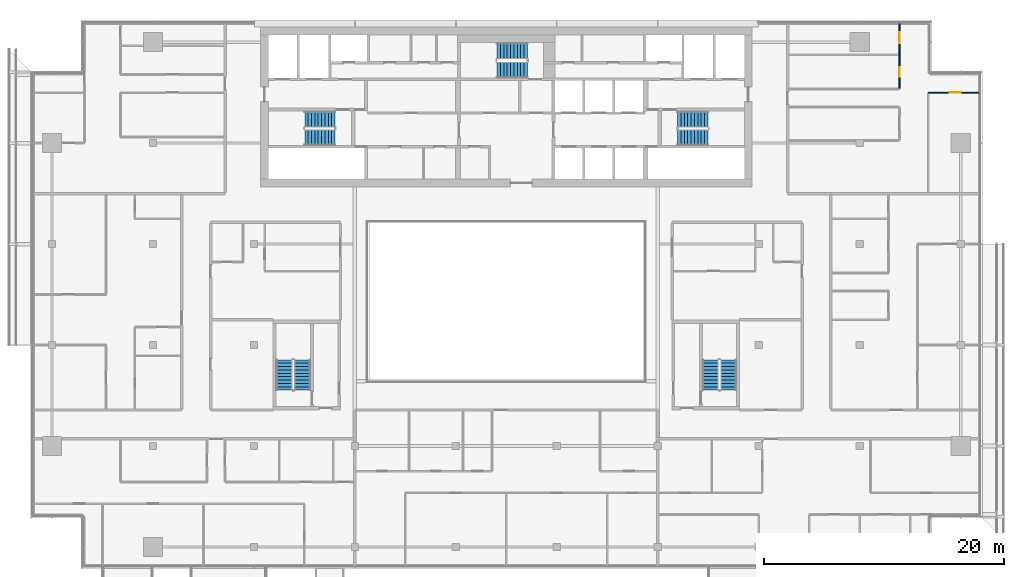
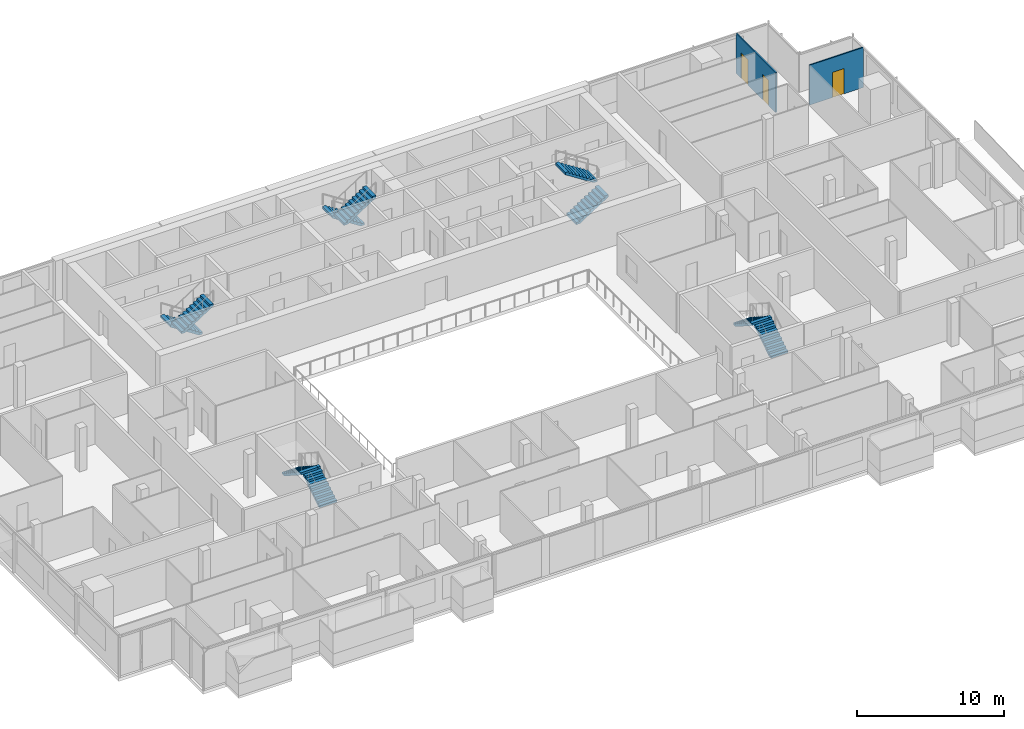
# One storey, part 25 of 29: 10 stair flights, 3 doors, 2 walls, 3 openings, 5 elements without a shape of their own.
"""IFC4 building model written with IfcOpenShell, lengths in metres."""

import ifcopenshell
import ifcopenshell.guid

model = None  # the IFC model being written
_history = None  # IfcOwnerHistory: only IFC2X3 demands one
_inside = {}  # id of a spatial element -> (the spatial element, [elements in it])
_under = {}  # id of a project, library or spatial element -> (it, [spatial elements below it])
_declared = {}  # id of a project -> (the project, [libraries it declares])
_typed = {}  # id of a type object -> (the type object, [elements of that type])
_made_of = {}  # id of a material, layer set ... -> (it, [elements and type objects made of it])


def new_model(schema):
    """Start an empty IFC model of exactly this schema.

    Asked for "IFC4X3", IfcOpenShell would pick the latest addendum, in which some entities
    have other attributes; the version numbers below select the first issue.
    IFC2X3 requires an IfcOwnerHistory on every rooted entity: one is made here for all.
    """
    global model, _history
    if schema == "IFC4X3":
        model = ifcopenshell.file(schema_version=(4, 3, 0, 0))
    else:
        model = ifcopenshell.file(schema=schema)
    _inside.clear()
    _under.clear()
    _declared.clear()
    _typed.clear()
    _made_of.clear()
    _history = None
    if model.schema == "IFC2X3":
        org = make("IfcOrganization", Name="unknown")
        user = make(
            "IfcPersonAndOrganization",
            ThePerson=make("IfcPerson", FamilyName="unknown"),
            TheOrganization=org,
        )
        app = make(
            "IfcApplication",
            ApplicationDeveloper=org,
            Version="unknown",
            ApplicationFullName="unknown",
            ApplicationIdentifier="unknown",
        )
        _history = make(
            "IfcOwnerHistory",
            OwningUser=user,
            OwningApplication=app,
            ChangeAction="ADDED",
            CreationDate=0,
        )
    return model


def make(cls, **values):
    """One entity of the class cls with the attributes given. An attribute that is None is left unset."""
    return model.create_entity(
        cls, **{name: value for name, value in values.items() if value is not None}
    )


def rooted(cls, **values):
    """An entity with a GlobalId (a new one), such as an element, a storey or a relation."""
    return make(cls, GlobalId=ifcopenshell.guid.new(), OwnerHistory=_history, **values)


def si_unit(unit_type, name, prefix=None):
    """IfcSIUnit, for example si_unit("LENGTHUNIT", "METRE", prefix="MILLI")."""
    return make("IfcSIUnit", UnitType=unit_type, Prefix=prefix, Name=name)


def assignment(units):
    """IfcUnitAssignment: the units of a project."""
    return None if units is None else make("IfcUnitAssignment", Units=units)


def point(xyz):
    """IfcCartesianPoint."""
    return None if xyz is None else make("IfcCartesianPoint", Coordinates=xyz)


def direction(xyz):
    """IfcDirection."""
    return None if xyz is None else make("IfcDirection", DirectionRatios=xyz)


def frame(location, z_axis=None, x_axis=None):
    """IfcAxis2Placement3D, a coordinate frame: its origin and axes. An axis left out is left unset."""
    return make(
        "IfcAxis2Placement3D",
        Location=point(location),
        Axis=direction(z_axis),
        RefDirection=direction(x_axis),
    )


def frame_2d(location, x_axis=None):
    """IfcAxis2Placement2D, a coordinate frame in the plane: its origin and x axis."""
    return make(
        "IfcAxis2Placement2D", Location=point(location), RefDirection=direction(x_axis)
    )


def origin():
    """The frame at (0, 0, 0) with its axes left unset."""
    return frame((0.0, 0.0, 0.0))


def place(relative_to, where):
    """IfcLocalPlacement: puts the frame where relative to a parent placement (None: the world)."""
    return make(
        "IfcLocalPlacement", PlacementRelTo=relative_to, RelativePlacement=where
    )


def context(
    kind, dimensions, precision=None, world=None, true_north=None, identifier=None
):
    """IfcGeometricRepresentationContext, for example the 3D "Model" context."""
    return make(
        "IfcGeometricRepresentationContext",
        ContextIdentifier=identifier,
        ContextType=kind,
        CoordinateSpaceDimension=dimensions,
        Precision=precision,
        WorldCoordinateSystem=world,
        TrueNorth=true_north,
    )


def subcontext(parent, identifier, kind, view, scale=None):
    """IfcGeometricRepresentationSubContext, for example "Body" below "Model"."""
    return make(
        "IfcGeometricRepresentationSubContext",
        ContextIdentifier=identifier,
        ContextType=kind,
        ParentContext=parent,
        TargetScale=scale,
        TargetView=view,
    )


def project(units=None, contexts=None):
    """IfcProject with its units and contexts."""
    return rooted(
        "IfcProject",
        Name="project",
        RepresentationContexts=contexts,
        UnitsInContext=assignment(units),
    )


def spatial(cls, under=None, at=None, **own):
    """A site, building, storey or space (cls), placed at a placement, below another one or the project."""
    s = rooted(cls, ObjectPlacement=at, **own)
    if under is not None:
        _under.setdefault(under.id(), (under, []))[1].append(s)
    return s


def polyline(points):
    """IfcPolyline through the points."""
    return make("IfcPolyline", Points=[point(p) for p in points])


def profile(cls, at=None, kind="AREA", **sizes):
    """A parametric profile (cls). Its sizes go by their IFC names, for example OverallWidth=200.0."""
    return make(cls, ProfileType=kind, Position=at, **sizes)


def rectangle(**sizes):
    """IfcRectangleProfileDef."""
    return profile("IfcRectangleProfileDef", **sizes)


def outline(outer, holes=None, kind="AREA"):
    """IfcArbitraryClosedProfileDef: a profile drawn as a closed curve; with holes, ...WithVoids."""
    if holes is None:
        return make("IfcArbitraryClosedProfileDef", ProfileType=kind, OuterCurve=outer)
    return make(
        "IfcArbitraryProfileDefWithVoids",
        ProfileType=kind,
        OuterCurve=outer,
        InnerCurves=holes,
    )


def extrude(swept, where, along, depth):
    """IfcExtrudedAreaSolid: the profile swept, set in the frame where, extruded along a direction by depth."""
    return make(
        "IfcExtrudedAreaSolid",
        SweptArea=swept,
        Position=where,
        ExtrudedDirection=direction(along),
        Depth=depth,
    )


def shape(context_of_items, identifier, shape_type, items):
    """IfcShapeRepresentation: the items that make up one representation, for example the "Body"."""
    return make(
        "IfcShapeRepresentation",
        ContextOfItems=context_of_items,
        RepresentationIdentifier=identifier,
        RepresentationType=shape_type,
        Items=items,
    )


def material(Name=None, Category=None):
    """IfcMaterial."""
    return make("IfcMaterial", Name=Name, Category=Category)


def layer(
    of_material, thickness, ventilated=None, Name=None, Category=None, Priority=None
):
    """IfcMaterialLayer: one layer of a wall or slab, of a material (None: an air gap)."""
    return make(
        "IfcMaterialLayer",
        Material=of_material,
        LayerThickness=thickness,
        IsVentilated=ventilated,
        Name=Name,
        Category=Category,
        Priority=Priority,
    )


def layer_set(layers, Name=None):
    """IfcMaterialLayerSet."""
    return make("IfcMaterialLayerSet", MaterialLayers=layers, LayerSetName=Name)


def made_of(thing, what):
    """Note that an element or type object is made of a material, layer set ...; save() writes the relation."""
    if what is not None:
        _made_of.setdefault(what.id(), (what, []))[1].append(thing)
    return thing


def type_object(cls, material=None, **own):
    """A type object (cls), such as IfcWallType, which elements share."""
    return made_of(rooted(cls, **own), material)


def element(
    cls,
    number,
    at=None,
    inside=None,
    cuts=None,
    type_object=None,
    material=None,
    context=None,
    identifier="Body",
    shape_type=None,
    held_by="IfcProductDefinitionShape",
    body=None,
    shapes=None,
    **own,
):
    """One element of the class cls, such as IfcWall. Its Tag is "e" and its number.

    at: its placement. inside: the storey or other place that contains it. cuts: it is an
    opening in that element (IfcRelVoidsElement). A single representation is given by context,
    identifier, shape_type and body (its items); several are given by shapes. held_by: the class
    of the entity that holds the representations. save() writes the other relations.
    """
    e = rooted(cls, Tag="e%d" % number, ObjectPlacement=at, **own)
    if body is not None:
        shapes = [shape(context, identifier, shape_type, body)]
    if shapes is not None:
        e.Representation = make(held_by, Representations=shapes)
    if inside is not None:
        _inside.setdefault(inside.id(), (inside, []))[1].append(e)
    if cuts is not None:
        rooted(
            "IfcRelVoidsElement", RelatingBuildingElement=cuts, RelatedOpeningElement=e
        )
    if type_object is not None:
        _typed.setdefault(type_object.id(), (type_object, []))[1].append(e)
    return made_of(e, material)


def fill(opening, filler):
    """IfcRelFillsElement: the door or window that sits in an opening."""
    return rooted(
        "IfcRelFillsElement",
        RelatingOpeningElement=opening,
        RelatedBuildingElement=filler,
    )


def aggregate(whole, parts):
    """IfcRelAggregates: a whole, such as a stair, and the parts it consists of."""
    return rooted("IfcRelAggregates", RelatingObject=whole, RelatedObjects=parts)


def save(model, path):
    """Write the relations noted so far, then the file.

    IfcRelAggregates (storeys below a building ...), IfcRelContainedInSpatialStructure (elements
    in a storey), IfcRelDefinesByType, IfcRelAssociatesMaterial and IfcRelDeclares: one each for
    every whole, place, type object, material and project.
    """
    for whole, parts in _under.values():
        aggregate(whole, parts)
    for where, things in _inside.values():
        rooted(
            "IfcRelContainedInSpatialStructure",
            RelatedElements=things,
            RelatingStructure=where,
        )
    for kind, things in _typed.values():
        rooted("IfcRelDefinesByType", RelatedObjects=things, RelatingType=kind)
    for what, things in _made_of.values():
        rooted("IfcRelAssociatesMaterial", RelatedObjects=things, RelatingMaterial=what)
    for by, libraries in _declared.values():
        rooted("IfcRelDeclares", RelatingContext=by, RelatedDefinitions=libraries)
    model.write(path)


model = new_model("IFC4")

# Units and contexts
model_context = context("Model", 3, precision=1e-05, world=origin(), true_north=direction((0.0, 1.0)))
body_context = subcontext(model_context, "Body", "Model", "MODEL_VIEW")
ifc_project = project(units=[si_unit("LENGTHUNIT", "METRE"), si_unit("AREAUNIT", "SQUARE_METRE"), si_unit("VOLUMEUNIT", "CUBIC_METRE"), si_unit("PLANEANGLEUNIT", "RADIAN"), si_unit("MASSUNIT", "GRAM", prefix="KILO")], contexts=[model_context])

# Site, building, storey
site_placement = place(None, origin())
site = spatial("IfcSite", under=ifc_project, at=site_placement, CompositionType="ELEMENT")
building_placement = place(site_placement, origin())
building = spatial("IfcBuilding", under=site, at=building_placement, Name="Saffron Gate Tower", CompositionType="ELEMENT")
storey_placement = place(building_placement, frame((0.0, 0.0, 219.89990234375)))
storey = spatial("IfcBuildingStorey", under=building, at=storey_placement, Name="L53", CompositionType="ELEMENT", Elevation=219.89990234375)

# Wall, opening, door
ifc_material_1 = material(Name="Plasterboard on steel studs", Category="steel")
ifc_layer = layer(ifc_material_1, 0.10009765625)
ifc_layer_set = layer_set([ifc_layer], Name="PW1 Partition 100")
wall_type = type_object("IfcWallType", Name="PW1 Partition 100", PredefinedType="PARTITIONING", material=ifc_layer_set)
wall_1_placement = place(storey_placement, frame((126.919921875, 69.60009765625, 0.0), z_axis=(0.0, 0.0, 1.0), x_axis=(-1.0, 0.0, 0.0)))
wall_1 = element("IfcWall", 1, at=wall_1_placement, inside=storey, type_object=wall_type, Name="Partition D2-52", PredefinedType="PARTITIONING", context=body_context, shape_type="SweptSolid", body=[
    extrude(rectangle(XDim=4.219970703125, YDim=0.10009765625, at=frame_2d((2.10986328125, 0.0))), origin(), (0.0, 0.0, 1.0), 3.320068359375),
])
opening_1_placement = place(wall_1_placement, frame((1.52001953125, 0.0, 0.0)))
opening_1 = element("IfcOpeningElement", 2, at=opening_1_placement, cuts=wall_1, Name="Opening D2-34", PredefinedType="OPENING", context=body_context, shape_type="SweptSolid", body=[
    extrude(rectangle(XDim=0.89990234375, YDim=2.10009765625, at=frame_2d((0.449951171875, 1.050048828125))), frame((0.0, 0.06005859375, 0.0), z_axis=(0.0, -1.0, 0.0), x_axis=(1.0, 0.0, 0.0)), (0.0, 0.0, 1.0), 0.1201171875),
])
ifc_material_2 = material(Name="Timber door set", Category="wood")
door_type_1 = type_object("IfcDoorType", Name="RD1 Room door 900x2100", OperationType="NOTDEFINED", PredefinedType="DOOR", material=ifc_material_2)
door_1_placement = place(opening_1_placement, origin())
door_1 = element("IfcDoor", 3, at=door_1_placement, inside=storey, type_object=door_type_1, Name="Door D2-34", OperationType="SINGLE_SWING_LEFT", OverallHeight=2.10009765625, OverallWidth=0.89990234375, PredefinedType="DOOR", context=body_context, shape_type="SweptSolid", body=[
    extrude(rectangle(XDim=0.89990234375, YDim=2.10009765625, at=frame_2d((0.449951171875, 1.050048828125))), frame((0.0, 0.02490234375, 0.0), z_axis=(0.0, -1.0, 0.0), x_axis=(1.0, 0.0, 0.0)), (0.0, 0.0, 1.0), 0.050048828125),
])
fill(opening_1, door_1)

# Wall, openings, doors
wall_2_placement = place(storey_placement, frame((120.300048828125, 69.949951171875, 0.0), z_axis=(0.0, 0.0, 1.0), x_axis=(0.0, 1.0, 0.0)))
wall_2 = element("IfcWall", 4, at=wall_2_placement, inside=storey, type_object=wall_type, Name="Partition D2-113", PredefinedType="PARTITIONING", context=body_context, shape_type="SweptSolid", body=[
    extrude(rectangle(XDim=5.3701171875, YDim=0.10009765625, at=frame_2d((2.68505859375, 0.0))), origin(), (0.0, 0.0, 1.0), 3.320068359375),
])
opening_2_placement = place(wall_2_placement, frame((0.974853515625, 0.0, 0.0)))
opening_2 = element("IfcOpeningElement", 5, at=opening_2_placement, cuts=wall_2, Name="Opening D2-51", PredefinedType="OPENING", context=body_context, shape_type="SweptSolid", body=[
    extrude(rectangle(XDim=0.800048828125, YDim=2.10009765625, at=frame_2d((0.39990234375, 1.050048828125))), frame((0.0, 0.06005859375, 0.0), z_axis=(0.0, -1.0, 0.0), x_axis=(1.0, 0.0, 0.0)), (0.0, 0.0, 1.0), 0.1201171875),
])
opening_3_placement = place(wall_2_placement, frame((3.774658203125, 0.0, 0.0)))
opening_3 = element("IfcOpeningElement", 6, at=opening_3_placement, cuts=wall_2, Name="Opening D2-36", PredefinedType="OPENING", context=body_context, shape_type="SweptSolid", body=[
    extrude(rectangle(XDim=0.89990234375, YDim=2.10009765625, at=frame_2d((0.449951171875, 1.050048828125))), frame((0.0, 0.06005859375, 0.0), z_axis=(0.0, -1.0, 0.0), x_axis=(1.0, 0.0, 0.0)), (0.0, 0.0, 1.0), 0.1201171875),
])
door_2_placement = place(opening_3_placement, origin())
door_2 = element("IfcDoor", 7, at=door_2_placement, inside=storey, type_object=door_type_1, Name="Door D2-36", OperationType="SINGLE_SWING_RIGHT", OverallHeight=2.10009765625, OverallWidth=0.89990234375, PredefinedType="DOOR", context=body_context, shape_type="SweptSolid", body=[
    extrude(rectangle(XDim=0.89990234375, YDim=2.10009765625, at=frame_2d((0.449951171875, 1.050048828125))), frame((0.0, 0.02490234375, 0.0), z_axis=(0.0, -1.0, 0.0), x_axis=(1.0, 0.0, 0.0)), (0.0, 0.0, 1.0), 0.050048828125),
])
fill(opening_3, door_2)
door_type_2 = type_object("IfcDoorType", Name="RD2 Bathroom door 800x2100", OperationType="NOTDEFINED", PredefinedType="DOOR", material=ifc_material_2)
door_3_placement = place(opening_2_placement, origin())
door_3 = element("IfcDoor", 8, at=door_3_placement, inside=storey, type_object=door_type_2, Name="Door D2-51", OperationType="SINGLE_SWING_LEFT", OverallHeight=2.10009765625, OverallWidth=0.800048828125, PredefinedType="DOOR", context=body_context, shape_type="SweptSolid", body=[
    extrude(rectangle(XDim=0.800048828125, YDim=2.10009765625, at=frame_2d((0.39990234375, 1.050048828125))), frame((0.0, 0.02490234375, 0.0), z_axis=(0.0, -1.0, 0.0), x_axis=(1.0, 0.0, 0.0)), (0.0, 0.0, 1.0), 0.050048828125),
])
fill(opening_2, door_3)

# Stair, stair flights
ifc_material_3 = material(Name="Concrete C40", Category="concrete")
stair_type = type_object("IfcStairType", Name="ST7 Stair 1350 wide, 20 risers of 180", PredefinedType="HALF_TURN_STAIR", material=ifc_material_3)
stair_1_placement = place(storey_placement, origin())
stair_1 = element("IfcStair", 9, at=stair_1_placement, inside=storey, type_object=stair_type, Name="L53 Exit stair A", PredefinedType="HALF_TURN_STAIR")
stair_flight_type = type_object("IfcStairFlightType", Name="SF3 Stair flight 1350 wide, riser 180 going 280", PredefinedType="STRAIGHT", material=ifc_material_3)
stair_flight_1_placement = place(storey_placement, frame((73.35009765625, 67.375, 0.0), z_axis=(0.0, 0.0, 1.0), x_axis=(-1.0, 0.0, 0.0)))
stair_flight_1 = element("IfcStairFlight", 10, at=stair_flight_1_placement, type_object=stair_flight_type, Name="ST-A flight 1", NumberOfRisers=10, NumberOfTreads=9, PredefinedType="STRAIGHT", RiserHeight=0.18, TreadLength=0.28, context=body_context, shape_type="SweptSolid", body=[
    extrude(outline(polyline([(0.0, 0.0), (0.0, 0.179931640625), (0.280029296875, 0.179931640625), (0.280029296875, 0.360107421875), (0.56005859375, 0.360107421875), (0.56005859375, 0.5400390625), (0.840087890625, 0.5400390625), (0.840087890625, 0.719970703125), (1.1201171875, 0.719970703125), (1.1201171875, 0.89990234375), (1.39990234375, 0.89990234375), (1.39990234375, 1.080078125), (1.679931640625, 1.080078125), (1.679931640625, 1.260009765625), (1.9599609375, 1.260009765625), (1.9599609375, 1.43994140625), (2.239990234375, 1.43994140625), (2.239990234375, 1.6201171875), (2.52001953125, 1.6201171875), (2.52001953125, 1.800048828125), (2.52001953125, 1.44189453125), (0.277099609375, 0.0), (0.0, 0.0)])), frame((0.0, 0.675048828125, 0.0), z_axis=(0.0, -1.0, 0.0), x_axis=(1.0, 0.0, 0.0)), (0.0, 0.0, 1.0), 1.35009765625),
])
stair_flight_2_placement = place(storey_placement, frame((70.830078125, 65.875, 1.800048828125), z_axis=(0.0, 0.0, 1.0), x_axis=(1.0, 0.0, 0.0)))
stair_flight_2 = element("IfcStairFlight", 11, at=stair_flight_2_placement, type_object=stair_flight_type, Name="ST-A flight 2", NumberOfRisers=10, NumberOfTreads=9, PredefinedType="STRAIGHT", RiserHeight=0.18, TreadLength=0.28, context=body_context, shape_type="SweptSolid", body=[
    extrude(outline(polyline([(0.0, 0.0), (0.0, 0.179931640625), (0.280029296875, 0.179931640625), (0.280029296875, 0.360107421875), (0.56005859375, 0.360107421875), (0.56005859375, 0.5400390625), (0.840087890625, 0.5400390625), (0.840087890625, 0.719970703125), (1.1201171875, 0.719970703125), (1.1201171875, 0.89990234375), (1.39990234375, 0.89990234375), (1.39990234375, 1.080078125), (1.679931640625, 1.080078125), (1.679931640625, 1.260009765625), (1.9599609375, 1.260009765625), (1.9599609375, 1.43994140625), (2.239990234375, 1.43994140625), (2.239990234375, 1.6201171875), (2.52001953125, 1.6201171875), (2.52001953125, 1.800048828125), (2.52001953125, 1.44189453125), (0.277099609375, 0.0), (0.0, 0.0)])), frame((0.0, 0.675048828125, 0.0), z_axis=(0.0, -1.0, 0.0), x_axis=(1.0, 0.0, 0.0)), (0.0, 0.0, 1.0), 1.35009765625),
])
aggregate(stair_1, [stair_flight_1, stair_flight_2])

stair_2_placement = place(storey_placement, origin())
stair_2 = element("IfcStair", 12, at=stair_2_placement, inside=storey, type_object=stair_type, Name="L53 Exit stair B", PredefinedType="HALF_TURN_STAIR")
stair_flight_3_placement = place(storey_placement, frame((101.85009765625, 65.875, 0.0), z_axis=(0.0, 0.0, 1.0), x_axis=(1.0, 0.0, 0.0)))
stair_flight_3 = element("IfcStairFlight", 13, at=stair_flight_3_placement, type_object=stair_flight_type, Name="ST-B flight 1", NumberOfRisers=10, NumberOfTreads=9, PredefinedType="STRAIGHT", RiserHeight=0.18, TreadLength=0.28, context=body_context, shape_type="SweptSolid", body=[
    extrude(outline(polyline([(0.0, 0.0), (0.0, 0.179931640625), (0.280029296875, 0.179931640625), (0.280029296875, 0.360107421875), (0.56005859375, 0.360107421875), (0.56005859375, 0.5400390625), (0.840087890625, 0.5400390625), (0.840087890625, 0.719970703125), (1.1201171875, 0.719970703125), (1.1201171875, 0.89990234375), (1.39990234375, 0.89990234375), (1.39990234375, 1.080078125), (1.679931640625, 1.080078125), (1.679931640625, 1.260009765625), (1.9599609375, 1.260009765625), (1.9599609375, 1.43994140625), (2.239990234375, 1.43994140625), (2.239990234375, 1.6201171875), (2.52001953125, 1.6201171875), (2.52001953125, 1.800048828125), (2.52001953125, 1.44189453125), (0.277099609375, 0.0), (0.0, 0.0)])), frame((0.0, 0.675048828125, 0.0), z_axis=(0.0, -1.0, 0.0), x_axis=(1.0, 0.0, 0.0)), (0.0, 0.0, 1.0), 1.35009765625),
])
stair_flight_4_placement = place(storey_placement, frame((104.3701171875, 67.375, 1.800048828125), z_axis=(0.0, 0.0, 1.0), x_axis=(-1.0, 0.0, 0.0)))
stair_flight_4 = element("IfcStairFlight", 14, at=stair_flight_4_placement, type_object=stair_flight_type, Name="ST-B flight 2", NumberOfRisers=10, NumberOfTreads=9, PredefinedType="STRAIGHT", RiserHeight=0.18, TreadLength=0.28, context=body_context, shape_type="SweptSolid", body=[
    extrude(outline(polyline([(0.0, 0.0), (0.0, 0.179931640625), (0.280029296875, 0.179931640625), (0.280029296875, 0.360107421875), (0.56005859375, 0.360107421875), (0.56005859375, 0.5400390625), (0.840087890625, 0.5400390625), (0.840087890625, 0.719970703125), (1.1201171875, 0.719970703125), (1.1201171875, 0.89990234375), (1.39990234375, 0.89990234375), (1.39990234375, 1.080078125), (1.679931640625, 1.080078125), (1.679931640625, 1.260009765625), (1.9599609375, 1.260009765625), (1.9599609375, 1.43994140625), (2.239990234375, 1.43994140625), (2.239990234375, 1.6201171875), (2.52001953125, 1.6201171875), (2.52001953125, 1.800048828125), (2.52001953125, 1.44189453125), (0.277099609375, 0.0), (0.0, 0.0)])), frame((0.0, 0.675048828125, 0.0), z_axis=(0.0, -1.0, 0.0), x_axis=(1.0, 0.0, 0.0)), (0.0, 0.0, 1.0), 1.35009765625),
])
aggregate(stair_2, [stair_flight_3, stair_flight_4])

stair_3_placement = place(storey_placement, origin())
stair_3 = element("IfcStair", 15, at=stair_3_placement, inside=storey, type_object=stair_type, Name="L53 Exit stair C", PredefinedType="HALF_TURN_STAIR")
stair_flight_5_placement = place(storey_placement, frame((89.35009765625, 73.074951171875, 0.0), z_axis=(0.0, 0.0, 1.0), x_axis=(-1.0, 0.0, 0.0)))
stair_flight_5 = element("IfcStairFlight", 16, at=stair_flight_5_placement, type_object=stair_flight_type, Name="ST-C flight 1", NumberOfRisers=10, NumberOfTreads=9, PredefinedType="STRAIGHT", RiserHeight=0.18, TreadLength=0.28, context=body_context, shape_type="SweptSolid", body=[
    extrude(outline(polyline([(0.0, 0.0), (0.0, 0.179931640625), (0.280029296875, 0.179931640625), (0.280029296875, 0.360107421875), (0.56005859375, 0.360107421875), (0.56005859375, 0.5400390625), (0.840087890625, 0.5400390625), (0.840087890625, 0.719970703125), (1.1201171875, 0.719970703125), (1.1201171875, 0.89990234375), (1.39990234375, 0.89990234375), (1.39990234375, 1.080078125), (1.679931640625, 1.080078125), (1.679931640625, 1.260009765625), (1.9599609375, 1.260009765625), (1.9599609375, 1.43994140625), (2.239990234375, 1.43994140625), (2.239990234375, 1.6201171875), (2.52001953125, 1.6201171875), (2.52001953125, 1.800048828125), (2.52001953125, 1.44189453125), (0.277099609375, 0.0), (0.0, 0.0)])), frame((0.0, 0.675048828125, 0.0), z_axis=(0.0, -1.0, 0.0), x_axis=(1.0, 0.0, 0.0)), (0.0, 0.0, 1.0), 1.35009765625),
])
stair_flight_6_placement = place(storey_placement, frame((86.830078125, 71.47509765625, 1.800048828125), z_axis=(0.0, 0.0, 1.0), x_axis=(1.0, 0.0, 0.0)))
stair_flight_6 = element("IfcStairFlight", 17, at=stair_flight_6_placement, type_object=stair_flight_type, Name="ST-C flight 2", NumberOfRisers=10, NumberOfTreads=9, PredefinedType="STRAIGHT", RiserHeight=0.18, TreadLength=0.28, context=body_context, shape_type="SweptSolid", body=[
    extrude(outline(polyline([(0.0, 0.0), (0.0, 0.179931640625), (0.280029296875, 0.179931640625), (0.280029296875, 0.360107421875), (0.56005859375, 0.360107421875), (0.56005859375, 0.5400390625), (0.840087890625, 0.5400390625), (0.840087890625, 0.719970703125), (1.1201171875, 0.719970703125), (1.1201171875, 0.89990234375), (1.39990234375, 0.89990234375), (1.39990234375, 1.080078125), (1.679931640625, 1.080078125), (1.679931640625, 1.260009765625), (1.9599609375, 1.260009765625), (1.9599609375, 1.43994140625), (2.239990234375, 1.43994140625), (2.239990234375, 1.6201171875), (2.52001953125, 1.6201171875), (2.52001953125, 1.800048828125), (2.52001953125, 1.44189453125), (0.277099609375, 0.0), (0.0, 0.0)])), frame((0.0, 0.675048828125, 0.0), z_axis=(0.0, -1.0, 0.0), x_axis=(1.0, 0.0, 0.0)), (0.0, 0.0, 1.0), 1.35009765625),
])
aggregate(stair_3, [stair_flight_5, stair_flight_6])

stair_4_placement = place(storey_placement, origin())
stair_4 = element("IfcStair", 18, at=stair_4_placement, inside=storey, type_object=stair_type, Name="L53 Exit stair D", PredefinedType="HALF_TURN_STAIR")
stair_flight_7_placement = place(storey_placement, frame((70.625, 44.85009765625, 0.0), z_axis=(0.0, 0.0, 1.0), x_axis=(0.0, 1.0, 0.0)))
stair_flight_7 = element("IfcStairFlight", 19, at=stair_flight_7_placement, type_object=stair_flight_type, Name="ST-D flight 1", NumberOfRisers=10, NumberOfTreads=9, PredefinedType="STRAIGHT", RiserHeight=0.18, TreadLength=0.28, context=body_context, shape_type="SweptSolid", body=[
    extrude(outline(polyline([(0.0, 0.0), (0.0, 0.179931640625), (0.280029296875, 0.179931640625), (0.280029296875, 0.360107421875), (0.56005859375, 0.360107421875), (0.56005859375, 0.5400390625), (0.840087890625, 0.5400390625), (0.840087890625, 0.719970703125), (1.1201171875, 0.719970703125), (1.1201171875, 0.89990234375), (1.39990234375, 0.89990234375), (1.39990234375, 1.080078125), (1.679931640625, 1.080078125), (1.679931640625, 1.260009765625), (1.9599609375, 1.260009765625), (1.9599609375, 1.43994140625), (2.239990234375, 1.43994140625), (2.239990234375, 1.6201171875), (2.52001953125, 1.6201171875), (2.52001953125, 1.800048828125), (2.52001953125, 1.44189453125), (0.277099609375, 0.0), (0.0, 0.0)])), frame((0.0, 0.675048828125, 0.0), z_axis=(0.0, -1.0, 0.0), x_axis=(1.0, 0.0, 0.0)), (0.0, 0.0, 1.0), 1.35009765625),
])
stair_flight_8_placement = place(storey_placement, frame((69.125, 47.3701171875, 1.800048828125), z_axis=(0.0, 0.0, 1.0), x_axis=(0.0, -1.0, 0.0)))
stair_flight_8 = element("IfcStairFlight", 20, at=stair_flight_8_placement, type_object=stair_flight_type, Name="ST-D flight 2", NumberOfRisers=10, NumberOfTreads=9, PredefinedType="STRAIGHT", RiserHeight=0.18, TreadLength=0.28, context=body_context, shape_type="SweptSolid", body=[
    extrude(outline(polyline([(0.0, 0.0), (0.0, 0.179931640625), (0.280029296875, 0.179931640625), (0.280029296875, 0.360107421875), (0.56005859375, 0.360107421875), (0.56005859375, 0.5400390625), (0.840087890625, 0.5400390625), (0.840087890625, 0.719970703125), (1.1201171875, 0.719970703125), (1.1201171875, 0.89990234375), (1.39990234375, 0.89990234375), (1.39990234375, 1.080078125), (1.679931640625, 1.080078125), (1.679931640625, 1.260009765625), (1.9599609375, 1.260009765625), (1.9599609375, 1.43994140625), (2.239990234375, 1.43994140625), (2.239990234375, 1.6201171875), (2.52001953125, 1.6201171875), (2.52001953125, 1.800048828125), (2.52001953125, 1.44189453125), (0.277099609375, 0.0), (0.0, 0.0)])), frame((0.0, 0.675048828125, 0.0), z_axis=(0.0, -1.0, 0.0), x_axis=(1.0, 0.0, 0.0)), (0.0, 0.0, 1.0), 1.35009765625),
])
aggregate(stair_4, [stair_flight_7, stair_flight_8])

stair_5_placement = place(storey_placement, origin())
stair_5 = element("IfcStair", 21, at=stair_5_placement, inside=storey, type_object=stair_type, Name="L53 Exit stair E", PredefinedType="HALF_TURN_STAIR")
stair_flight_9_placement = place(storey_placement, frame((106.074951171875, 44.85009765625, 0.0), z_axis=(0.0, 0.0, 1.0), x_axis=(0.0, 1.0, 0.0)))
stair_flight_9 = element("IfcStairFlight", 22, at=stair_flight_9_placement, type_object=stair_flight_type, Name="ST-E flight 1", NumberOfRisers=10, NumberOfTreads=9, PredefinedType="STRAIGHT", RiserHeight=0.18, TreadLength=0.28, context=body_context, shape_type="SweptSolid", body=[
    extrude(outline(polyline([(0.0, 0.0), (0.0, 0.179931640625), (0.280029296875, 0.179931640625), (0.280029296875, 0.360107421875), (0.56005859375, 0.360107421875), (0.56005859375, 0.5400390625), (0.840087890625, 0.5400390625), (0.840087890625, 0.719970703125), (1.1201171875, 0.719970703125), (1.1201171875, 0.89990234375), (1.39990234375, 0.89990234375), (1.39990234375, 1.080078125), (1.679931640625, 1.080078125), (1.679931640625, 1.260009765625), (1.9599609375, 1.260009765625), (1.9599609375, 1.43994140625), (2.239990234375, 1.43994140625), (2.239990234375, 1.6201171875), (2.52001953125, 1.6201171875), (2.52001953125, 1.800048828125), (2.52001953125, 1.44189453125), (0.277099609375, 0.0), (0.0, 0.0)])), frame((0.0, 0.675048828125, 0.0), z_axis=(0.0, -1.0, 0.0), x_axis=(1.0, 0.0, 0.0)), (0.0, 0.0, 1.0), 1.35009765625),
])
stair_flight_10_placement = place(storey_placement, frame((104.574951171875, 47.3701171875, 1.800048828125), z_axis=(0.0, 0.0, 1.0), x_axis=(0.0, -1.0, 0.0)))
stair_flight_10 = element("IfcStairFlight", 23, at=stair_flight_10_placement, type_object=stair_flight_type, Name="ST-E flight 2", NumberOfRisers=10, NumberOfTreads=9, PredefinedType="STRAIGHT", RiserHeight=0.18, TreadLength=0.28, context=body_context, shape_type="SweptSolid", body=[
    extrude(outline(polyline([(0.0, 0.0), (0.0, 0.179931640625), (0.280029296875, 0.179931640625), (0.280029296875, 0.360107421875), (0.56005859375, 0.360107421875), (0.56005859375, 0.5400390625), (0.840087890625, 0.5400390625), (0.840087890625, 0.719970703125), (1.1201171875, 0.719970703125), (1.1201171875, 0.89990234375), (1.39990234375, 0.89990234375), (1.39990234375, 1.080078125), (1.679931640625, 1.080078125), (1.679931640625, 1.260009765625), (1.9599609375, 1.260009765625), (1.9599609375, 1.43994140625), (2.239990234375, 1.43994140625), (2.239990234375, 1.6201171875), (2.52001953125, 1.6201171875), (2.52001953125, 1.800048828125), (2.52001953125, 1.44189453125), (0.277099609375, 0.0), (0.0, 0.0)])), frame((0.0, 0.675048828125, 0.0), z_axis=(0.0, -1.0, 0.0), x_axis=(1.0, 0.0, 0.0)), (0.0, 0.0, 1.0), 1.35009765625),
])
aggregate(stair_5, [stair_flight_9, stair_flight_10])

save(model, "model.ifc")
